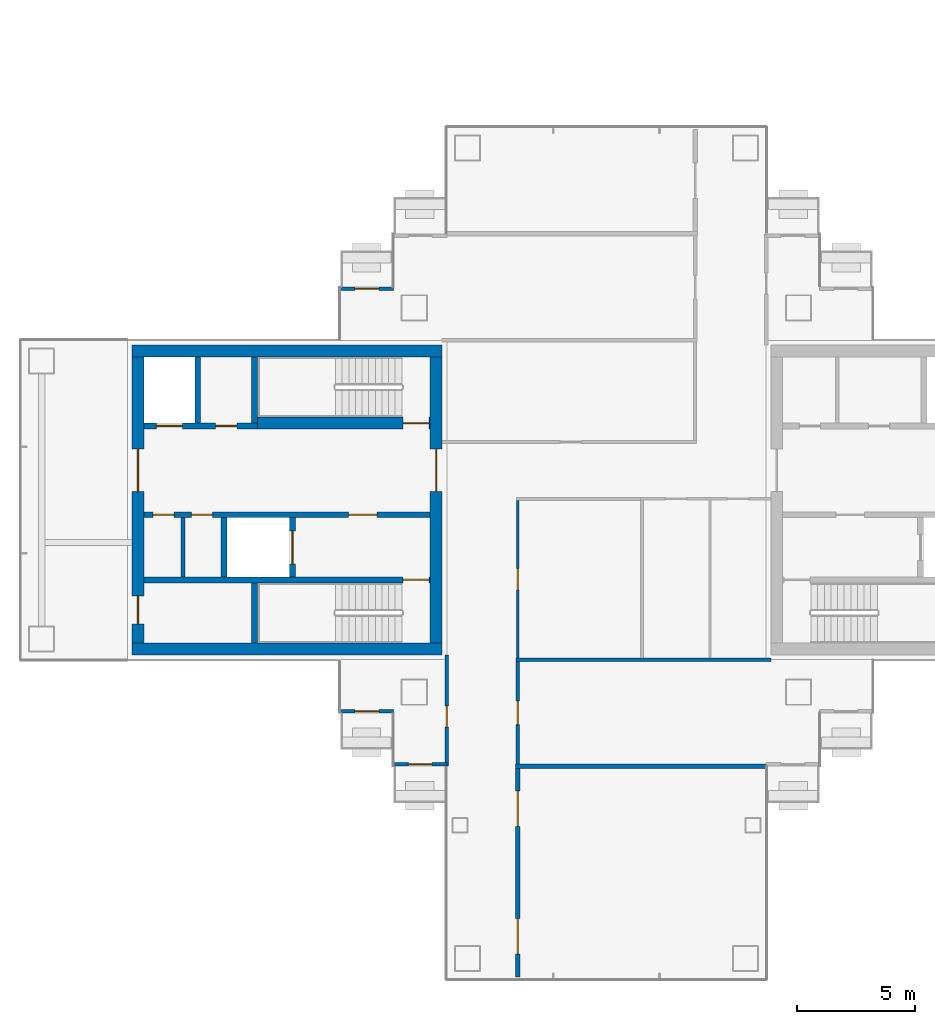
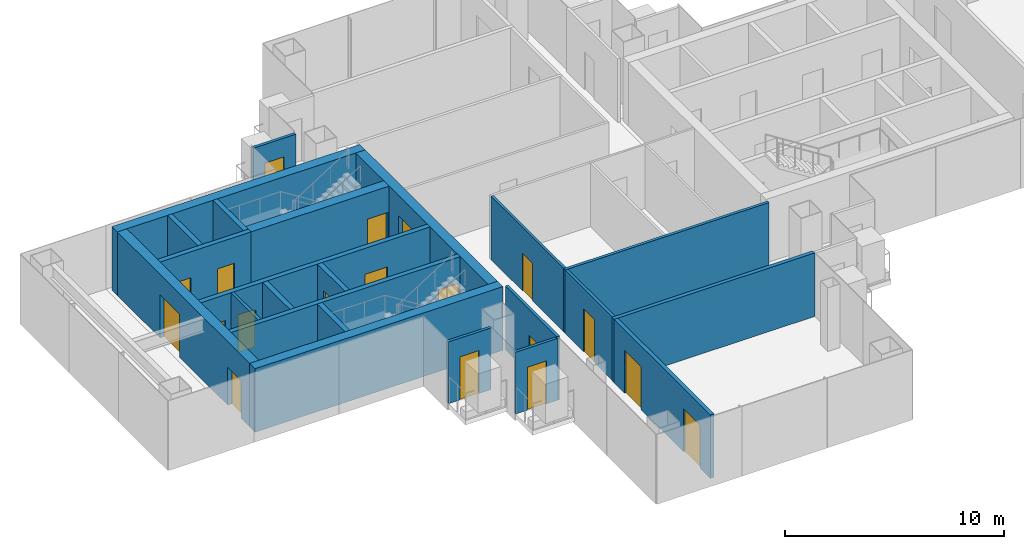
# One storey, part 9 of 16: 23 walls, 19 doors, 19 openings.
"""IFC4 building model written with IfcOpenShell, lengths in metres."""

from ifc_helpers import new_model, si_unit, direction, frame, frame_2d, origin, place, context, subcontext, project, spatial, rectangle, extrude, material, layer, layer_set, type_object, element, fill, save


model = new_model("IFC4")

# Units and contexts
model_context = context("Model", 3, precision=1e-05, world=origin(), true_north=direction((0.0, 1.0)))
body_context = subcontext(model_context, "Body", "Model", "MODEL_VIEW")
ifc_project = project(units=[si_unit("LENGTHUNIT", "METRE"), si_unit("AREAUNIT", "SQUARE_METRE"), si_unit("VOLUMEUNIT", "CUBIC_METRE"), si_unit("PLANEANGLEUNIT", "RADIAN"), si_unit("MASSUNIT", "GRAM", prefix="KILO")], contexts=[model_context])

# Site, building, storey
site_placement = place(None, origin())
site = spatial("IfcSite", under=ifc_project, at=site_placement, CompositionType="ELEMENT")
building_placement = place(site_placement, origin())
building = spatial("IfcBuilding", under=site, at=building_placement, Name="Shamsa Quay Exchange Towers", CompositionType="ELEMENT")
storey_placement = place(building_placement, frame((0.0, 0.0, 142.800048828125)))
storey = spatial("IfcBuildingStorey", under=building, at=storey_placement, Name="L33", CompositionType="ELEMENT", Elevation=142.800048828125)

# Wall, openings, doors
ifc_material_1 = material(Name="Double-leaf gypsum board partition with acoustic insulation")
ifc_layer_1 = layer(ifc_material_1, 0.199951171875)
ifc_layer_set_1 = layer_set([ifc_layer_1], Name="Acoustic partition 200 mm EI 60")
wall_type_1 = type_object("IfcWallType", Name="Acoustic partition 200 mm EI 60", PredefinedType="PARTITIONING", material=ifc_layer_set_1)
wall_1_placement = place(storey_placement, frame((-37.5, -20.155029296875, 0.0), z_axis=(0.0, 0.0, 1.0), x_axis=(0.0, 1.0, 0.0)))
wall_1 = element("IfcWall", 1, at=wall_1_placement, inside=storey, type_object=wall_type_1, Name="Partition T1-R15-W06", PredefinedType="PARTITIONING", context=body_context, shape_type="SweptSolid", body=[
    extrude(rectangle(XDim=8.804931640625, YDim=0.199951171875, at=frame_2d((4.40234375, 0.0))), origin(), (0.0, 0.0, 1.0), 3.550048828125),
])
opening_1_placement = place(wall_1_placement, frame((0.955078125, 0.0, 0.0)))
opening_1 = element("IfcOpeningElement", 2, at=opening_1_placement, cuts=wall_1, Name="Opening T1-R15-D03", PredefinedType="OPENING", context=body_context, shape_type="SweptSolid", body=[
    extrude(rectangle(XDim=1.5, YDim=2.39990234375, at=frame_2d((0.75, 1.199951171875))), frame((0.0, 0.10986328125, 0.0), z_axis=(0.0, -1.0, 0.0), x_axis=(1.0, 0.0, 0.0)), (0.0, 0.0, 1.0), 0.219970703125),
])
opening_2_placement = place(wall_1_placement, frame((6.35498046875, 0.0, 0.0)))
opening_2 = element("IfcOpeningElement", 3, at=opening_2_placement, cuts=wall_1, Name="Opening T1-R15-D04", PredefinedType="OPENING", context=body_context, shape_type="SweptSolid", body=[
    extrude(rectangle(XDim=1.5, YDim=2.39990234375, at=frame_2d((0.75, 1.199951171875))), frame((0.0, 0.10986328125, 0.0), z_axis=(0.0, -1.0, 0.0), x_axis=(1.0, 0.0, 0.0)), (0.0, 0.0, 1.0), 0.219970703125),
])
ifc_material_2 = material(Name="Timber door leaf in a metal frame", Category="wood")
door_type_1 = type_object("IfcDoorType", Name="Door 1500x2400 FD30S pair", OperationType="NOTDEFINED", PredefinedType="DOOR", material=ifc_material_2)
door_1_placement = place(opening_1_placement, origin())
door_1 = element("IfcDoor", 4, at=door_1_placement, inside=storey, type_object=door_type_1, Name="Door T1-R15-D03", OperationType="DOUBLE_DOOR_SINGLE_SWING", OverallHeight=2.39990234375, OverallWidth=1.5, PredefinedType="DOOR", context=body_context, shape_type="SweptSolid", body=[
    extrude(rectangle(XDim=1.5, YDim=2.39990234375, at=frame_2d((0.75, 1.199951171875))), frame((0.0, 0.02490234375, 0.0), z_axis=(0.0, -1.0, 0.0), x_axis=(1.0, 0.0, 0.0)), (0.0, 0.0, 1.0), 0.050048828125),
])
fill(opening_1, door_1)
door_2_placement = place(opening_2_placement, origin())
door_2 = element("IfcDoor", 5, at=door_2_placement, inside=storey, type_object=door_type_1, Name="Door T1-R15-D04", OperationType="DOUBLE_DOOR_SINGLE_SWING", OverallHeight=2.39990234375, OverallWidth=1.5, PredefinedType="DOOR", context=body_context, shape_type="SweptSolid", body=[
    extrude(rectangle(XDim=1.5, YDim=2.39990234375, at=frame_2d((0.75, 1.199951171875))), frame((0.0, 0.02490234375, 0.0), z_axis=(0.0, -1.0, 0.0), x_axis=(1.0, 0.0, 0.0)), (0.0, 0.0, 1.0), 0.050048828125),
])
fill(opening_2, door_2)

# Wall
wall_2_placement = place(storey_placement, frame((-37.60009765625, -11.25, 0.0)))
element("IfcWall", 6, at=wall_2_placement, inside=storey, type_object=wall_type_1, Name="Partition T1-R15-W15", PredefinedType="PARTITIONING", context=body_context, shape_type="SweptSolid", body=[
    extrude(rectangle(XDim=10.60009765625, YDim=0.199951171875, at=frame_2d((5.300048828125, 0.0))), origin(), (0.0, 0.0, 1.0), 3.550048828125),
])

# Wall, opening, door
ifc_material_3 = material(Name="Aluminium EN AW-6063 T6, black anodised, with black enamelled glass infill", Category="aluminium")
ifc_layer_2 = layer(ifc_material_3, 0.14990234375)
ifc_layer_set_2 = layer_set([ifc_layer_2], Name="BALCONY DOOR BAY WALL 150")
wall_type_2 = type_object("IfcWallType", Name="BALCONY DOOR BAY WALL 150", PredefinedType="SOLIDWALL", material=ifc_layer_set_2)
wall_3_placement = place(storey_placement, frame((-45.0, 8.925048828125, 0.0)))
wall_3 = element("IfcWall", 7, at=wall_3_placement, inside=storey, type_object=wall_type_2, Name="Door bay T1-PKWN L33", PredefinedType="SOLIDWALL", context=body_context, shape_type="SweptSolid", body=[
    extrude(rectangle(XDim=2.25, YDim=0.14990234375, at=frame_2d((1.125, 0.0))), origin(), (0.0, 0.0, 1.0), 3.449951171875),
])
opening_3_placement = place(wall_3_placement, frame((0.625, 0.0, 0.0)))
opening_3 = element("IfcOpeningElement", 8, at=opening_3_placement, cuts=wall_3, Name="Opening XD214", PredefinedType="OPENING", context=body_context, shape_type="SweptSolid", body=[
    extrude(rectangle(XDim=1.0, YDim=2.39990234375, at=frame_2d((0.5, 1.199951171875))), frame((0.0, 0.0849609375, 0.0), z_axis=(0.0, -1.0, 0.0), x_axis=(1.0, 0.0, 0.0)), (0.0, 0.0, 1.0), 0.169921875),
])
ifc_material_4 = material(Name="Aluminium EN AW-6063 T6, black anodised, with laminated glass leaf", Category="aluminium")
door_type_2 = type_object("IfcDoorType", Name="BALCONY DOOR 1000x2400", OperationType="SINGLE_SWING_LEFT", PredefinedType="DOOR", material=ifc_material_4)
door_3_placement = place(opening_3_placement, origin())
door_3 = element("IfcDoor", 9, at=door_3_placement, inside=storey, type_object=door_type_2, Name="Balcony door T1-PKWN L33", OperationType="SINGLE_SWING_RIGHT", OverallHeight=2.39990234375, OverallWidth=1.0, PredefinedType="DOOR", context=body_context, shape_type="SweptSolid", body=[
    extrude(rectangle(XDim=1.0, YDim=2.39990234375, at=frame_2d((0.5, 1.199951171875))), frame((0.0, 0.02490234375, 0.0), z_axis=(0.0, -1.0, 0.0), x_axis=(1.0, 0.0, 0.0)), (0.0, 0.0, 1.0), 0.050048828125),
])
fill(opening_3, door_3)

wall_4_placement = place(storey_placement, frame((-42.75, -8.925048828125, 0.0), z_axis=(0.0, 0.0, 1.0), x_axis=(-1.0, 0.0, 0.0)))
wall_4 = element("IfcWall", 10, at=wall_4_placement, inside=storey, type_object=wall_type_2, Name="Door bay T1-PKWS L33", PredefinedType="SOLIDWALL", context=body_context, shape_type="SweptSolid", body=[
    extrude(rectangle(XDim=2.25, YDim=0.14990234375, at=frame_2d((1.125, 0.0))), origin(), (0.0, 0.0, 1.0), 3.449951171875),
])
opening_4_placement = place(wall_4_placement, frame((0.625, 0.0, 0.0)))
opening_4 = element("IfcOpeningElement", 11, at=opening_4_placement, cuts=wall_4, Name="Opening XD215", PredefinedType="OPENING", context=body_context, shape_type="SweptSolid", body=[
    extrude(rectangle(XDim=1.0, YDim=2.39990234375, at=frame_2d((0.5, 1.199951171875))), frame((0.0, 0.0849609375, 0.0), z_axis=(0.0, -1.0, 0.0), x_axis=(1.0, 0.0, 0.0)), (0.0, 0.0, 1.0), 0.169921875),
])
door_4_placement = place(opening_4_placement, origin())
door_4 = element("IfcDoor", 12, at=door_4_placement, inside=storey, type_object=door_type_2, Name="Balcony door T1-PKWS L33", OperationType="SINGLE_SWING_LEFT", OverallHeight=2.39990234375, OverallWidth=1.0, PredefinedType="DOOR", context=body_context, shape_type="SweptSolid", body=[
    extrude(rectangle(XDim=1.0, YDim=2.39990234375, at=frame_2d((0.5, 1.199951171875))), frame((0.0, 0.02490234375, 0.0), z_axis=(0.0, -1.0, 0.0), x_axis=(1.0, 0.0, 0.0)), (0.0, 0.0, 1.0), 0.050048828125),
])
fill(opening_4, door_4)

wall_5_placement = place(storey_placement, frame((-40.5, -11.175048828125, 0.0), z_axis=(0.0, 0.0, 1.0), x_axis=(-1.0, 0.0, 0.0)))
wall_5 = element("IfcWall", 13, at=wall_5_placement, inside=storey, type_object=wall_type_2, Name="Door bay T1-PKWS L33", PredefinedType="SOLIDWALL", context=body_context, shape_type="SweptSolid", body=[
    extrude(rectangle(XDim=2.25, YDim=0.14990234375, at=frame_2d((1.125, 0.0))), origin(), (0.0, 0.0, 1.0), 3.449951171875),
])
opening_5_placement = place(wall_5_placement, frame((0.625, 0.0, 0.0)))
opening_5 = element("IfcOpeningElement", 14, at=opening_5_placement, cuts=wall_5, Name="Opening XD216", PredefinedType="OPENING", context=body_context, shape_type="SweptSolid", body=[
    extrude(rectangle(XDim=1.0, YDim=2.39990234375, at=frame_2d((0.5, 1.199951171875))), frame((0.0, 0.0849609375, 0.0), z_axis=(0.0, -1.0, 0.0), x_axis=(1.0, 0.0, 0.0)), (0.0, 0.0, 1.0), 0.169921875),
])
door_5_placement = place(opening_5_placement, origin())
door_5 = element("IfcDoor", 15, at=door_5_placement, inside=storey, type_object=door_type_2, Name="Balcony door T1-PKWS L33", OperationType="SINGLE_SWING_RIGHT", OverallHeight=2.39990234375, OverallWidth=1.0, PredefinedType="DOOR", context=body_context, shape_type="SweptSolid", body=[
    extrude(rectangle(XDim=1.0, YDim=2.39990234375, at=frame_2d((0.5, 1.199951171875))), frame((0.0, 0.02490234375, 0.0), z_axis=(0.0, -1.0, 0.0), x_axis=(1.0, 0.0, 0.0)), (0.0, 0.0, 1.0), 0.050048828125),
])
fill(opening_5, door_5)

# Walls
ifc_material_5 = material(Name="Concrete C60/75", Category="concrete")
ifc_layer_3 = layer(ifc_material_5, 0.5)
ifc_layer_set_3 = layer_set([ifc_layer_3], Name="CORE WALL 500 C60/75")
wall_type_3 = type_object("IfcWallType", Name="CORE WALL 500 C60/75", PredefinedType="SHEAR", material=ifc_layer_set_3)
for number, where, z_axis, x_axis, name in (
    (16, (-40.699951171875, -6.300048828125, 0.0), (0.0, 0.0, 1.0), (-1.0, 0.0, 0.0), "Core wall T1B-R15-PS"),
    (17, (-40.699951171875, 6.300048828125, 0.0), (0.0, 0.0, 1.0), (-1.0, 0.0, 0.0), "Core wall T1B-R15-PN"),
):
    element("IfcWall", number, at=place(storey_placement, frame(where, z_axis=z_axis, x_axis=x_axis)), inside=storey, type_object=wall_type_3, Name=name, PredefinedType="SHEAR", context=body_context, shape_type="SweptSolid", body=[
        extrude(rectangle(XDim=13.10009765625, YDim=0.5, at=frame_2d((6.550048828125, 0.0))), origin(), (0.0, 0.0, 1.0), 3.550048828125),
    ])

# Wall, opening, door
wall_6_placement = place(storey_placement, frame((-40.949951171875, -6.050048828125, 0.0), z_axis=(0.0, 0.0, 1.0), x_axis=(0.0, 1.0, 0.0)))
wall_6 = element("IfcWall", 18, at=wall_6_placement, inside=storey, type_object=wall_type_3, Name="Core wall T1B-R15-PF", PredefinedType="SHEAR", context=body_context, shape_type="SweptSolid", body=[
    extrude(rectangle(XDim=12.10009765625, YDim=0.5, at=frame_2d((6.050048828125, 0.0))), origin(), (0.0, 0.0, 1.0), 3.550048828125),
])
opening_6_placement = place(wall_6_placement, frame((6.39990234375, 0.0, 0.0)))
opening_6 = element("IfcOpeningElement", 19, at=opening_6_placement, cuts=wall_6, Name="Opening T1B-R15-LBD01", PredefinedType="OPENING", context=body_context, shape_type="SweptSolid", body=[
    extrude(rectangle(XDim=1.800048828125, YDim=2.39990234375, at=frame_2d((0.89990234375, 1.199951171875))), frame((0.0, 0.260009765625, 0.0), z_axis=(0.0, -1.0, 0.0), x_axis=(1.0, 0.0, 0.0)), (0.0, 0.0, 1.0), 0.52001953125),
])
ifc_material_6 = material(Name="Steel, fire rated", Category="steel")
door_type_3 = type_object("IfcDoorType", Name="LIFT LOBBY DOOR PAIR 1800", OperationType="DOUBLE_DOOR_SINGLE_SWING", PredefinedType="DOOR", material=ifc_material_6)
door_6_placement = place(opening_6_placement, origin())
door_6 = element("IfcDoor", 20, at=door_6_placement, inside=storey, type_object=door_type_3, Name="T1B-R15-LBD01", OperationType="DOUBLE_DOOR_SINGLE_SWING", OverallHeight=2.39990234375, OverallWidth=1.800048828125, PredefinedType="DOOR", context=body_context, shape_type="SweptSolid", body=[
    extrude(rectangle(XDim=1.800048828125, YDim=2.39990234375, at=frame_2d((0.89990234375, 1.199951171875))), frame((0.0, 0.02490234375, 0.0), z_axis=(0.0, -1.0, 0.0), x_axis=(1.0, 0.0, 0.0)), (0.0, 0.0, 1.0), 0.050048828125),
])
fill(opening_6, door_6)

# Wall, openings, doors
wall_7_placement = place(storey_placement, frame((-53.550048828125, -6.050048828125, 0.0), z_axis=(0.0, 0.0, 1.0), x_axis=(0.0, 1.0, 0.0)))
wall_7 = element("IfcWall", 21, at=wall_7_placement, inside=storey, type_object=wall_type_3, Name="Core wall T1B-R15-PB", PredefinedType="SHEAR", context=body_context, shape_type="SweptSolid", body=[
    extrude(rectangle(XDim=12.10009765625, YDim=0.5, at=frame_2d((6.050048828125, 0.0))), origin(), (0.0, 0.0, 1.0), 3.550048828125),
])
opening_7_placement = place(wall_7_placement, frame((0.800048828125, 0.0, 0.0)))
opening_7 = element("IfcOpeningElement", 22, at=opening_7_placement, cuts=wall_7, Name="Opening T1B-R15-RD02", PredefinedType="OPENING", context=body_context, shape_type="SweptSolid", body=[
    extrude(rectangle(XDim=1.199951171875, YDim=2.10009765625, at=frame_2d((0.60009765625, 1.050048828125))), frame((0.0, 0.260009765625, 0.0), z_axis=(0.0, -1.0, 0.0), x_axis=(1.0, 0.0, 0.0)), (0.0, 0.0, 1.0), 0.52001953125),
])
opening_8_placement = place(wall_7_placement, frame((6.39990234375, 0.0, 0.0)))
opening_8 = element("IfcOpeningElement", 23, at=opening_8_placement, cuts=wall_7, Name="Opening T1B-R15-LBD03", PredefinedType="OPENING", context=body_context, shape_type="SweptSolid", body=[
    extrude(rectangle(XDim=1.800048828125, YDim=2.39990234375, at=frame_2d((0.89990234375, 1.199951171875))), frame((0.0, 0.260009765625, 0.0), z_axis=(0.0, -1.0, 0.0), x_axis=(1.0, 0.0, 0.0)), (0.0, 0.0, 1.0), 0.52001953125),
])
door_7_placement = place(opening_8_placement, origin())
door_7 = element("IfcDoor", 24, at=door_7_placement, inside=storey, type_object=door_type_3, Name="T1B-R15-LBD03", OperationType="DOUBLE_DOOR_SINGLE_SWING", OverallHeight=2.39990234375, OverallWidth=1.800048828125, PredefinedType="DOOR", context=body_context, shape_type="SweptSolid", body=[
    extrude(rectangle(XDim=1.800048828125, YDim=2.39990234375, at=frame_2d((0.89990234375, 1.199951171875))), frame((0.0, 0.02490234375, 0.0), z_axis=(0.0, -1.0, 0.0), x_axis=(1.0, 0.0, 0.0)), (0.0, 0.0, 1.0), 0.050048828125),
])
fill(opening_8, door_7)
door_type_4 = type_object("IfcDoorType", Name="RISER ACCESS DOOR 1200", OperationType="SINGLE_SWING_LEFT", PredefinedType="DOOR", material=ifc_material_6)
door_8_placement = place(opening_7_placement, origin())
door_8 = element("IfcDoor", 25, at=door_8_placement, inside=storey, type_object=door_type_4, Name="T1B-R15-RD02", OperationType="SINGLE_SWING_LEFT", OverallHeight=2.10009765625, OverallWidth=1.199951171875, PredefinedType="DOOR", context=body_context, shape_type="SweptSolid", body=[
    extrude(rectangle(XDim=1.199951171875, YDim=2.10009765625, at=frame_2d((0.60009765625, 1.050048828125))), frame((0.0, 0.02490234375, 0.0), z_axis=(0.0, -1.0, 0.0), x_axis=(1.0, 0.0, 0.0)), (0.0, 0.0, 1.0), 0.050048828125),
])
fill(opening_7, door_8)

# Wall
ifc_material_7 = material(Name="Gypsum board on steel studs, EI 60", Category="steel")
ifc_layer_4 = layer(ifc_material_7, 0.14990234375)
ifc_layer_set_4 = layer_set([ifc_layer_4], Name="FIRE PARTITION 150")
wall_type_4 = type_object("IfcWallType", Name="FIRE PARTITION 150", PredefinedType="PARTITIONING", material=ifc_layer_set_4)
wall_8_placement = place(storey_placement, frame((-51.64990234375, -3.25, 0.0), z_axis=(0.0, 0.0, 1.0), x_axis=(0.0, 1.0, 0.0)))
element("IfcWall", 26, at=wall_8_placement, inside=storey, type_object=wall_type_4, Name="Partition T1B-R15-EC0", PredefinedType="PARTITIONING", context=body_context, shape_type="SweptSolid", body=[
    extrude(rectangle(XDim=2.5, YDim=0.14990234375, at=frame_2d((1.25, 0.0))), origin(), (0.0, 0.0, 1.0), 3.550048828125),
])

# Wall, opening, door
ifc_material_8 = material(Name="Laminated fire-resisting glass in a metal frame", Category="glass")
ifc_layer_5 = layer(ifc_material_8, 0.125)
ifc_layer_set_5 = layer_set([ifc_layer_5], Name="Glazed partition 125 mm EI 60")
wall_type_5 = type_object("IfcWallType", Name="Glazed partition 125 mm EI 60", PredefinedType="PARTITIONING", material=ifc_layer_set_5)
wall_9_placement = place(storey_placement, frame((-37.5, -0.0126953125, 0.0), z_axis=(0.0, 0.0, 1.0), x_axis=(0.0, -1.0, 0.0)))
wall_9 = element("IfcWall", 27, at=wall_9_placement, inside=storey, type_object=wall_type_5, Name="Partition T1-R15-W08", PredefinedType="PARTITIONING", context=body_context, shape_type="SweptSolid", body=[
    extrude(rectangle(XDim=6.662353515625, YDim=0.125, at=frame_2d((3.3310546875, 0.0))), origin(), (0.0, 0.0, 1.0), 3.550048828125),
])
opening_9_placement = place(wall_9_placement, frame((2.887451171875, 0.0, 0.0)))
opening_9 = element("IfcOpeningElement", 28, at=opening_9_placement, cuts=wall_9, Name="Opening T1-R15-D06", PredefinedType="OPENING", context=body_context, shape_type="SweptSolid", body=[
    extrude(rectangle(XDim=0.89990234375, YDim=2.10009765625, at=frame_2d((0.449951171875, 1.050048828125))), frame((0.0, 0.072509765625, 0.0), z_axis=(0.0, -1.0, 0.0), x_axis=(1.0, 0.0, 0.0)), (0.0, 0.0, 1.0), 0.14501953125),
])
door_type_5 = type_object("IfcDoorType", Name="Door 900x2100 FD30S", OperationType="NOTDEFINED", PredefinedType="DOOR", material=ifc_material_2)
door_9_placement = place(opening_9_placement, origin())
door_9 = element("IfcDoor", 29, at=door_9_placement, inside=storey, type_object=door_type_5, Name="Door T1-R15-D06", OperationType="SINGLE_SWING_LEFT", OverallHeight=2.10009765625, OverallWidth=0.89990234375, PredefinedType="DOOR", context=body_context, shape_type="SweptSolid", body=[
    extrude(rectangle(XDim=0.89990234375, YDim=2.10009765625, at=frame_2d((0.449951171875, 1.050048828125))), frame((0.0, 0.02490234375, 0.0), z_axis=(0.0, -1.0, 0.0), x_axis=(1.0, 0.0, 0.0)), (0.0, 0.0, 1.0), 0.050048828125),
])
fill(opening_9, door_9)

ifc_material_9 = material(Name="Gypsum board partition on metal studs")
ifc_layer_6 = layer(ifc_material_9, 0.14990234375)
ifc_layer_set_6 = layer_set([ifc_layer_6], Name="Partition 150 mm EI 60")
wall_type_6 = type_object("IfcWallType", Name="Partition 150 mm EI 60", PredefinedType="PARTITIONING", material=ifc_layer_set_6)
wall_10_placement = place(storey_placement, frame((-37.5, -6.824951171875, 0.0), z_axis=(0.0, 0.0, 1.0), x_axis=(0.0, -1.0, 0.0)))
wall_10 = element("IfcWall", 30, at=wall_10_placement, inside=storey, type_object=wall_type_6, Name="Partition T1-R15-W05", PredefinedType="PARTITIONING", context=body_context, shape_type="SweptSolid", body=[
    extrude(rectangle(XDim=4.324951171875, YDim=0.14990234375, at=frame_2d((2.16259765625, 0.0))), origin(), (0.0, 0.0, 1.0), 3.550048828125),
])
opening_10_placement = place(wall_10_placement, frame((1.675048828125, 0.0, 0.0)))
opening_10 = element("IfcOpeningElement", 31, at=opening_10_placement, cuts=wall_10, Name="Opening T1-R15-D05", PredefinedType="OPENING", context=body_context, shape_type="SweptSolid", body=[
    extrude(rectangle(XDim=1.0, YDim=2.39990234375, at=frame_2d((0.5, 1.199951171875))), frame((0.0, 0.0849609375, 0.0), z_axis=(0.0, -1.0, 0.0), x_axis=(1.0, 0.0, 0.0)), (0.0, 0.0, 1.0), 0.169921875),
])
door_type_6 = type_object("IfcDoorType", Name="Door 1000x2400 FD30S", OperationType="NOTDEFINED", PredefinedType="DOOR", material=ifc_material_2)
door_10_placement = place(opening_10_placement, origin())
door_10 = element("IfcDoor", 32, at=door_10_placement, inside=storey, type_object=door_type_6, Name="Door T1-R15-D05", OperationType="SINGLE_SWING_RIGHT", OverallHeight=2.39990234375, OverallWidth=1.0, PredefinedType="DOOR", context=body_context, shape_type="SweptSolid", body=[
    extrude(rectangle(XDim=1.0, YDim=2.39990234375, at=frame_2d((0.5, 1.199951171875))), frame((0.0, 0.02490234375, 0.0), z_axis=(0.0, -1.0, 0.0), x_axis=(1.0, 0.0, 0.0)), (0.0, 0.0, 1.0), 0.050048828125),
])
fill(opening_10, door_10)

wall_11_placement = place(storey_placement, frame((-40.5, -11.25, 0.0), z_axis=(0.0, 0.0, 1.0), x_axis=(0.0, 1.0, 0.0)))
wall_11 = element("IfcWall", 33, at=wall_11_placement, inside=storey, type_object=wall_type_6, Name="Partition T1-R15-W10", PredefinedType="PARTITIONING", context=body_context, shape_type="SweptSolid", body=[
    extrude(rectangle(XDim=4.699951171875, YDim=0.14990234375, at=frame_2d((2.35009765625, 0.0))), origin(), (0.0, 0.0, 1.0), 3.550048828125),
])
opening_11_placement = place(wall_11_placement, frame((1.64990234375, 0.0, 0.0)))
opening_11 = element("IfcOpeningElement", 34, at=opening_11_placement, cuts=wall_11, Name="Opening T1-R15-D01", PredefinedType="OPENING", context=body_context, shape_type="SweptSolid", body=[
    extrude(rectangle(XDim=0.89990234375, YDim=2.10009765625, at=frame_2d((0.449951171875, 1.050048828125))), frame((0.0, 0.0849609375, 0.0), z_axis=(0.0, -1.0, 0.0), x_axis=(1.0, 0.0, 0.0)), (0.0, 0.0, 1.0), 0.169921875),
])
door_11_placement = place(opening_11_placement, origin())
door_11 = element("IfcDoor", 35, at=door_11_placement, inside=storey, type_object=door_type_5, Name="Door T1-R15-D01", OperationType="SINGLE_SWING_RIGHT", OverallHeight=2.10009765625, OverallWidth=0.89990234375, PredefinedType="DOOR", context=body_context, shape_type="SweptSolid", body=[
    extrude(rectangle(XDim=0.89990234375, YDim=2.10009765625, at=frame_2d((0.449951171875, 1.050048828125))), frame((0.0, 0.02490234375, 0.0), z_axis=(0.0, -1.0, 0.0), x_axis=(1.0, 0.0, 0.0)), (0.0, 0.0, 1.0), 0.050048828125),
])
fill(opening_11, door_11)

# Wall
wall_12_placement = place(storey_placement, frame((-26.800048828125, -6.75, 0.0), z_axis=(0.0, 0.0, 1.0), x_axis=(-1.0, 0.0, 0.0)))
element("IfcWall", 36, at=wall_12_placement, inside=storey, type_object=wall_type_6, Name="Partition T1-R15-W16", PredefinedType="PARTITIONING", context=body_context, shape_type="SweptSolid", body=[
    extrude(rectangle(XDim=10.77490234375, YDim=0.14990234375, at=frame_2d((5.387451171875, 0.0))), origin(), (0.0, 0.0, 1.0), 3.550048828125),
])

# Wall, opening, door
ifc_material_10 = material(Name="Concrete C50/60", Category="concrete")
ifc_layer_7 = layer(ifc_material_10, 0.25)
ifc_layer_set_7 = layer_set([ifc_layer_7], Name="SHAFT WALL 250 C50/60")
wall_type_7 = type_object("IfcWallType", Name="SHAFT WALL 250 C50/60", PredefinedType="SHEAR", material=ifc_layer_set_7)
wall_13_placement = place(storey_placement, frame((-41.199951171875, -3.375, 0.0), z_axis=(0.0, 0.0, 1.0), x_axis=(-1.0, 0.0, 0.0)))
wall_13 = element("IfcWall", 37, at=wall_13_placement, inside=storey, type_object=wall_type_7, Name="Shaft wall T1B-R15-STL", PredefinedType="SHEAR", context=body_context, shape_type="SweptSolid", body=[
    extrude(rectangle(XDim=12.10009765625, YDim=0.25, at=frame_2d((6.050048828125, 0.0))), origin(), (0.0, 0.0, 1.0), 3.550048828125),
])
opening_12_placement = place(wall_13_placement, frame((0.050048828125, 0.0, 0.0)))
opening_12 = element("IfcOpeningElement", 38, at=opening_12_placement, cuts=wall_13, Name="Opening T1B-R15-SD04", PredefinedType="OPENING", context=body_context, shape_type="SweptSolid", body=[
    extrude(rectangle(XDim=1.10009765625, YDim=2.10009765625, at=frame_2d((0.550048828125, 1.050048828125))), frame((0.0, 0.135009765625, 0.0), z_axis=(0.0, -1.0, 0.0), x_axis=(1.0, 0.0, 0.0)), (0.0, 0.0, 1.0), 0.27001953125),
])
door_type_7 = type_object("IfcDoorType", Name="STAIR DOOR 1100", OperationType="SINGLE_SWING_LEFT", PredefinedType="DOOR", material=ifc_material_6)
door_12_placement = place(opening_12_placement, origin())
door_12 = element("IfcDoor", 39, at=door_12_placement, inside=storey, type_object=door_type_7, Name="T1B-R15-SD04", OperationType="SINGLE_SWING_LEFT", OverallHeight=2.10009765625, OverallWidth=1.10009765625, PredefinedType="DOOR", context=body_context, shape_type="SweptSolid", body=[
    extrude(rectangle(XDim=1.10009765625, YDim=2.10009765625, at=frame_2d((0.550048828125, 1.050048828125))), frame((0.0, 0.02490234375, 0.0), z_axis=(0.0, -1.0, 0.0), x_axis=(1.0, 0.0, 0.0)), (0.0, 0.0, 1.0), 0.050048828125),
])
fill(opening_12, door_12)

# Wall
wall_14_placement = place(storey_placement, frame((-48.625, -6.050048828125, 0.0), z_axis=(0.0, 0.0, 1.0), x_axis=(0.0, 1.0, 0.0)))
element("IfcWall", 40, at=wall_14_placement, inside=storey, type_object=wall_type_7, Name="Shaft wall T1B-R15-STF", PredefinedType="SHEAR", context=body_context, shape_type="SweptSolid", body=[
    extrude(rectangle(XDim=2.550048828125, YDim=0.25, at=frame_2d((1.27490234375, 0.0))), origin(), (0.0, 0.0, 1.0), 3.550048828125),
])

# Wall, openings, doors
wall_15_placement = place(storey_placement, frame((-41.199951171875, -0.625, 0.0), z_axis=(0.0, 0.0, 1.0), x_axis=(-1.0, 0.0, 0.0)))
wall_15 = element("IfcWall", 41, at=wall_15_placement, inside=storey, type_object=wall_type_7, Name="Shaft wall T1B-R15-B", PredefinedType="SHEAR", context=body_context, shape_type="SweptSolid", body=[
    extrude(rectangle(XDim=12.10009765625, YDim=0.25, at=frame_2d((6.050048828125, 0.0))), origin(), (0.0, 0.0, 1.0), 3.550048828125),
])
opening_13_placement = place(wall_15_placement, frame((2.25, 0.0, 0.0)))
opening_13 = element("IfcOpeningElement", 42, at=opening_13_placement, cuts=wall_15, Name="Opening T1B-R15-FD05", PredefinedType="OPENING", context=body_context, shape_type="SweptSolid", body=[
    extrude(rectangle(XDim=1.199951171875, YDim=2.10009765625, at=frame_2d((0.60009765625, 1.050048828125))), frame((0.0, 0.135009765625, 0.0), z_axis=(0.0, -1.0, 0.0), x_axis=(1.0, 0.0, 0.0)), (0.0, 0.0, 1.0), 0.27001953125),
])
opening_14_placement = place(wall_15_placement, frame((9.199951171875, 0.0, 0.0)))
opening_14 = element("IfcOpeningElement", 43, at=opening_14_placement, cuts=wall_15, Name="Opening T1B-R15-SV06", PredefinedType="OPENING", context=body_context, shape_type="SweptSolid", body=[
    extrude(rectangle(XDim=0.89990234375, YDim=2.10009765625, at=frame_2d((0.449951171875, 1.050048828125))), frame((0.0, 0.135009765625, 0.0), z_axis=(0.0, -1.0, 0.0), x_axis=(1.0, 0.0, 0.0)), (0.0, 0.0, 1.0), 0.27001953125),
])
opening_15_placement = place(wall_15_placement, frame((10.824951171875, 0.0, 0.0)))
opening_15 = element("IfcOpeningElement", 44, at=opening_15_placement, cuts=wall_15, Name="Opening T1B-R15-SV07", PredefinedType="OPENING", context=body_context, shape_type="SweptSolid", body=[
    extrude(rectangle(XDim=0.89990234375, YDim=2.10009765625, at=frame_2d((0.449951171875, 1.050048828125))), frame((0.0, 0.135009765625, 0.0), z_axis=(0.0, -1.0, 0.0), x_axis=(1.0, 0.0, 0.0)), (0.0, 0.0, 1.0), 0.27001953125),
])
door_type_8 = type_object("IfcDoorType", Name="FIRE SERVICE LOBBY DOOR 1200", OperationType="SINGLE_SWING_LEFT", PredefinedType="DOOR", material=ifc_material_6)
door_13_placement = place(opening_13_placement, origin())
door_13 = element("IfcDoor", 45, at=door_13_placement, inside=storey, type_object=door_type_8, Name="T1B-R15-FD05", OperationType="SINGLE_SWING_LEFT", OverallHeight=2.10009765625, OverallWidth=1.199951171875, PredefinedType="DOOR", context=body_context, shape_type="SweptSolid", body=[
    extrude(rectangle(XDim=1.199951171875, YDim=2.10009765625, at=frame_2d((0.60009765625, 1.050048828125))), frame((0.0, 0.02490234375, 0.0), z_axis=(0.0, -1.0, 0.0), x_axis=(1.0, 0.0, 0.0)), (0.0, 0.0, 1.0), 0.050048828125),
])
fill(opening_13, door_13)
door_type_9 = type_object("IfcDoorType", Name="SERVICE ROOM DOOR 900", OperationType="SINGLE_SWING_LEFT", PredefinedType="DOOR", material=ifc_material_6)
door_14_placement = place(opening_14_placement, origin())
door_14 = element("IfcDoor", 46, at=door_14_placement, inside=storey, type_object=door_type_9, Name="T1B-R15-SV06", OperationType="SINGLE_SWING_RIGHT", OverallHeight=2.10009765625, OverallWidth=0.89990234375, PredefinedType="DOOR", context=body_context, shape_type="SweptSolid", body=[
    extrude(rectangle(XDim=0.89990234375, YDim=2.10009765625, at=frame_2d((0.449951171875, 1.050048828125))), frame((0.0, 0.02490234375, 0.0), z_axis=(0.0, -1.0, 0.0), x_axis=(1.0, 0.0, 0.0)), (0.0, 0.0, 1.0), 0.050048828125),
])
fill(opening_14, door_14)
door_15_placement = place(opening_15_placement, origin())
door_15 = element("IfcDoor", 47, at=door_15_placement, inside=storey, type_object=door_type_9, Name="T1B-R15-SV07", OperationType="SINGLE_SWING_RIGHT", OverallHeight=2.10009765625, OverallWidth=0.89990234375, PredefinedType="DOOR", context=body_context, shape_type="SweptSolid", body=[
    extrude(rectangle(XDim=0.89990234375, YDim=2.10009765625, at=frame_2d((0.449951171875, 1.050048828125))), frame((0.0, 0.02490234375, 0.0), z_axis=(0.0, -1.0, 0.0), x_axis=(1.0, 0.0, 0.0)), (0.0, 0.0, 1.0), 0.050048828125),
])
fill(opening_15, door_15)

# Wall, opening, door
wall_16_placement = place(storey_placement, frame((-47.02490234375, -3.25, 0.0), z_axis=(0.0, 0.0, 1.0), x_axis=(0.0, 1.0, 0.0)))
wall_16 = element("IfcWall", 48, at=wall_16_placement, inside=storey, type_object=wall_type_7, Name="Shaft wall T1B-R15-FFF", PredefinedType="SHEAR", context=body_context, shape_type="SweptSolid", body=[
    extrude(rectangle(XDim=2.5, YDim=0.25, at=frame_2d((1.25, 0.0))), origin(), (0.0, 0.0, 1.0), 3.550048828125),
])
opening_16_placement = place(wall_16_placement, frame((0.550048828125, 0.0, 0.0)))
opening_16 = element("IfcOpeningElement", 49, at=opening_16_placement, cuts=wall_16, Name="Opening T1B-R15-LDG08", PredefinedType="OPENING", context=body_context, shape_type="SweptSolid", body=[
    extrude(rectangle(XDim=1.39990234375, YDim=2.39990234375, at=frame_2d((0.699951171875, 1.199951171875))), frame((0.0, 0.135009765625, 0.0), z_axis=(0.0, -1.0, 0.0), x_axis=(1.0, 0.0, 0.0)), (0.0, 0.0, 1.0), 0.27001953125),
])
door_type_10 = type_object("IfcDoorType", Name="GOODS LIFT LANDING DOOR 1400", OperationType="SLIDING_TO_LEFT", PredefinedType="DOOR", material=ifc_material_6)
door_16_placement = place(opening_16_placement, origin())
door_16 = element("IfcDoor", 50, at=door_16_placement, inside=storey, type_object=door_type_10, Name="T1B-R15-LDG08", OperationType="SLIDING_TO_LEFT", OverallHeight=2.39990234375, OverallWidth=1.39990234375, PredefinedType="DOOR", context=body_context, shape_type="SweptSolid", body=[
    extrude(rectangle(XDim=1.39990234375, YDim=2.39990234375, at=frame_2d((0.699951171875, 1.199951171875))), frame((0.0, 0.02490234375, 0.0), z_axis=(0.0, -1.0, 0.0), x_axis=(1.0, 0.0, 0.0)), (0.0, 0.0, 1.0), 0.050048828125),
])
fill(opening_16, door_16)

# Wall
wall_17_placement = place(storey_placement, frame((-49.925048828125, -3.25, 0.0), z_axis=(0.0, 0.0, 1.0), x_axis=(0.0, 1.0, 0.0)))
element("IfcWall", 51, at=wall_17_placement, inside=storey, type_object=wall_type_7, Name="Shaft wall T1B-R15-FFB", PredefinedType="SHEAR", context=body_context, shape_type="SweptSolid", body=[
    extrude(rectangle(XDim=2.5, YDim=0.25, at=frame_2d((1.25, 0.0))), origin(), (0.0, 0.0, 1.0), 3.550048828125),
])

# Wall, openings, doors
wall_18_placement = place(storey_placement, frame((-53.300048828125, 3.125, 0.0)))
wall_18 = element("IfcWall", 52, at=wall_18_placement, inside=storey, type_object=wall_type_7, Name="Shaft wall T1B-R15-N2", PredefinedType="SHEAR", context=body_context, shape_type="SweptSolid", body=[
    extrude(rectangle(XDim=4.800048828125, YDim=0.25, at=frame_2d((2.39990234375, 0.0))), origin(), (0.0, 0.0, 1.0), 3.550048828125),
])
opening_17_placement = place(wall_18_placement, frame((0.52490234375, 0.0, 0.0)))
opening_17 = element("IfcOpeningElement", 53, at=opening_17_placement, cuts=wall_18, Name="Opening T1B-R15-LD10", PredefinedType="OPENING", context=body_context, shape_type="SweptSolid", body=[
    extrude(rectangle(XDim=1.10009765625, YDim=2.10009765625, at=frame_2d((0.550048828125, 1.050048828125))), frame((0.0, 0.135009765625, 0.0), z_axis=(0.0, -1.0, 0.0), x_axis=(1.0, 0.0, 0.0)), (0.0, 0.0, 1.0), 0.27001953125),
])
opening_18_placement = place(wall_18_placement, frame((3.02490234375, 0.0, 0.0)))
opening_18 = element("IfcOpeningElement", 54, at=opening_18_placement, cuts=wall_18, Name="Opening T1B-R15-SV11", PredefinedType="OPENING", context=body_context, shape_type="SweptSolid", body=[
    extrude(rectangle(XDim=0.89990234375, YDim=2.10009765625, at=frame_2d((0.449951171875, 1.050048828125))), frame((0.0, 0.135009765625, 0.0), z_axis=(0.0, -1.0, 0.0), x_axis=(1.0, 0.0, 0.0)), (0.0, 0.0, 1.0), 0.27001953125),
])
door_type_11 = type_object("IfcDoorType", Name="LANDING DOOR 1100", OperationType="SLIDING_TO_LEFT", PredefinedType="DOOR", material=ifc_material_6)
door_17_placement = place(opening_17_placement, origin())
door_17 = element("IfcDoor", 55, at=door_17_placement, inside=storey, type_object=door_type_11, Name="T1B-R15-LD10", OperationType="SLIDING_TO_LEFT", OverallHeight=2.10009765625, OverallWidth=1.10009765625, PredefinedType="DOOR", context=body_context, shape_type="SweptSolid", body=[
    extrude(rectangle(XDim=1.10009765625, YDim=2.10009765625, at=frame_2d((0.550048828125, 1.050048828125))), frame((0.0, 0.02490234375, 0.0), z_axis=(0.0, -1.0, 0.0), x_axis=(1.0, 0.0, 0.0)), (0.0, 0.0, 1.0), 0.050048828125),
])
fill(opening_17, door_17)
door_18_placement = place(opening_18_placement, origin())
door_18 = element("IfcDoor", 56, at=door_18_placement, inside=storey, type_object=door_type_9, Name="T1B-R15-SV11", OperationType="SINGLE_SWING_RIGHT", OverallHeight=2.10009765625, OverallWidth=0.89990234375, PredefinedType="DOOR", context=body_context, shape_type="SweptSolid", body=[
    extrude(rectangle(XDim=0.89990234375, YDim=2.10009765625, at=frame_2d((0.449951171875, 1.050048828125))), frame((0.0, 0.02490234375, 0.0), z_axis=(0.0, -1.0, 0.0), x_axis=(1.0, 0.0, 0.0)), (0.0, 0.0, 1.0), 0.050048828125),
])
fill(opening_18, door_18)

# Walls
for number, where, z_axis, x_axis, name in (
    (57, (-48.625, 3.25, 0.0), (0.0, 0.0, 1.0), (0.0, 1.0, 0.0), "Shaft wall T1B-R15-STF2"),
    (58, (-51.02490234375, 3.25, 0.0), (0.0, 0.0, 1.0), (0.0, 1.0, 0.0), "Shaft wall T1B-R15-D0"),
):
    element("IfcWall", number, at=place(storey_placement, frame(where, z_axis=z_axis, x_axis=x_axis)), inside=storey, type_object=wall_type_7, Name=name, PredefinedType="SHEAR", context=body_context, shape_type="SweptSolid", body=[
        extrude(rectangle(XDim=2.800048828125, YDim=0.25, at=frame_2d((1.39990234375, 0.0))), origin(), (0.0, 0.0, 1.0), 3.550048828125),
    ])

# Wall, opening, door
ifc_layer_8 = layer(ifc_material_10, 0.5)
ifc_layer_set_8 = layer_set([ifc_layer_8], Name="SHAFT WALL 500 C50/60")
wall_type_8 = type_object("IfcWallType", Name="SHAFT WALL 500 C50/60", PredefinedType="SHEAR", material=ifc_layer_set_8)
wall_19_placement = place(storey_placement, frame((-48.5, 3.25, 0.0)))
wall_19 = element("IfcWall", 59, at=wall_19_placement, inside=storey, type_object=wall_type_8, Name="Shaft wall T1B-R15-N", PredefinedType="SHEAR", context=body_context, shape_type="SweptSolid", body=[
    extrude(rectangle(XDim=7.300048828125, YDim=0.5, at=frame_2d((3.64990234375, 0.0))), origin(), (0.0, 0.0, 1.0), 3.550048828125),
])
opening_19_placement = place(wall_19_placement, frame((6.14990234375, 0.0, 0.0)))
opening_19 = element("IfcOpeningElement", 60, at=opening_19_placement, cuts=wall_19, Name="Opening T1B-R15-SD09", PredefinedType="OPENING", context=body_context, shape_type="SweptSolid", body=[
    extrude(rectangle(XDim=1.10009765625, YDim=2.10009765625, at=frame_2d((0.550048828125, 1.050048828125))), frame((0.0, 0.260009765625, 0.0), z_axis=(0.0, -1.0, 0.0), x_axis=(1.0, 0.0, 0.0)), (0.0, 0.0, 1.0), 0.52001953125),
])
door_19_placement = place(opening_19_placement, origin())
door_19 = element("IfcDoor", 61, at=door_19_placement, inside=storey, type_object=door_type_7, Name="T1B-R15-SD09", OperationType="SINGLE_SWING_RIGHT", OverallHeight=2.10009765625, OverallWidth=1.10009765625, PredefinedType="DOOR", context=body_context, shape_type="SweptSolid", body=[
    extrude(rectangle(XDim=1.10009765625, YDim=2.10009765625, at=frame_2d((0.550048828125, 1.050048828125))), frame((0.0, 0.02490234375, 0.0), z_axis=(0.0, -1.0, 0.0), x_axis=(1.0, 0.0, 0.0)), (0.0, 0.0, 1.0), 0.050048828125),
])
fill(opening_19, door_19)

save(model, "model.ifc")
